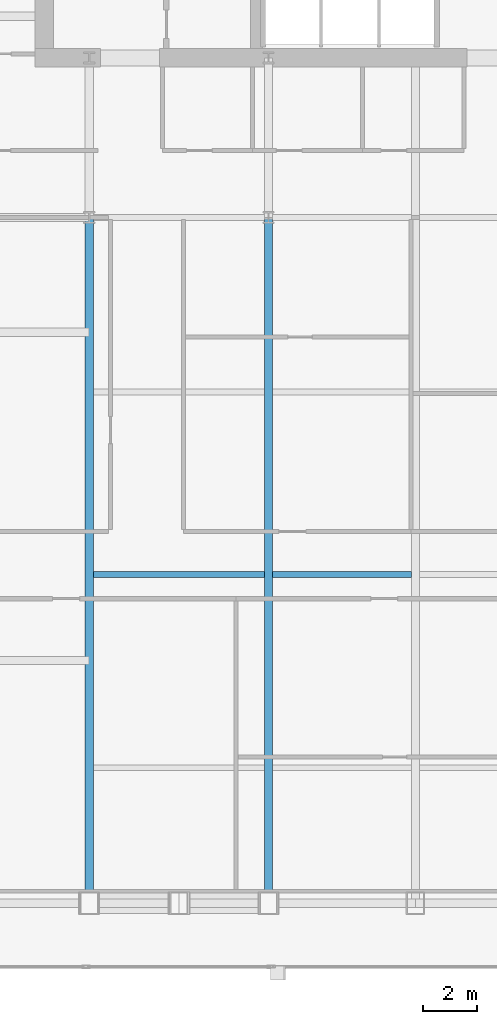
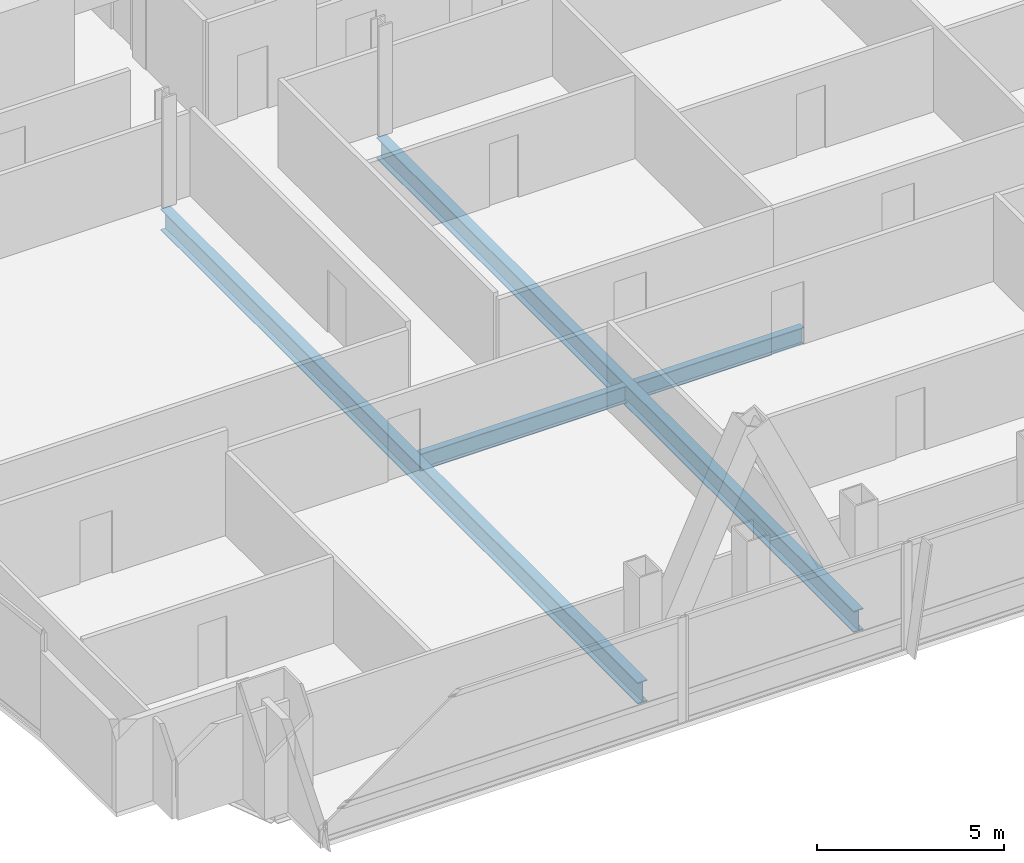
# One storey, part 9 of 31: 4 beams.
"""IFC4 building model written with IfcOpenShell, lengths in metres."""

from ifc_helpers import new_model, si_unit, direction, frame, origin, origin_2d, place, context, subcontext, project, spatial, i_section, extrude, material, material_profile, profile_set, type_object, element, save


model = new_model("IFC4")

# Units and contexts
model_context = context("Model", 3, precision=1e-05, world=origin(), true_north=direction((0.0, 1.0)))
body_context = subcontext(model_context, "Body", "Model", "MODEL_VIEW")
ifc_project = project(units=[si_unit("LENGTHUNIT", "METRE"), si_unit("AREAUNIT", "SQUARE_METRE"), si_unit("VOLUMEUNIT", "CUBIC_METRE"), si_unit("PLANEANGLEUNIT", "RADIAN"), si_unit("MASSUNIT", "GRAM", prefix="KILO")], contexts=[model_context])

# Site, building, storey
site_placement = place(None, origin())
site = spatial("IfcSite", under=ifc_project, at=site_placement, CompositionType="ELEMENT")
building_placement = place(site_placement, origin())
building = spatial("IfcBuilding", under=site, at=building_placement, Name="Khoronbel Lancet Exchange", CompositionType="ELEMENT")
storey_placement = place(building_placement, frame((0.0, 0.0, 129.0)))
storey = spatial("IfcBuildingStorey", under=building, at=storey_placement, Name="L31", CompositionType="ELEMENT", Elevation=129.0)

# Beams
ifc_material = material(Name="Steel S355", Category="steel")
ifc_material_profile_1 = material_profile(ifc_material, i_section(OverallWidth=0.300048828125, OverallDepth=0.699951171875, WebThickness=0.01708984375, FlangeThickness=0.031982421875, at=origin_2d()), Name="HEB 700")
ifc_profile_set_1 = profile_set([ifc_material_profile_1], Name="Steel S355")
beam_type_1 = type_object("IfcBeamType", Name="BM-BG3", PredefinedType="BEAM", material=ifc_profile_set_1)
for number, where, z_axis, x_axis, name in (
    (1, (18.22509765625, 10.14990234375, -0.510009765625), (0.0, 1.0, 0.0), (-1.0, 0.0, 0.0), "Level L31 south primary girder GS1"),
    (2, (24.89990234375, 10.14990234375, -0.510009765625), (0.0, 1.0, 0.0), (-1.0, 0.0, 0.0), "Level L31 south primary girder GS2"),
):
    element("IfcBeam", number, at=place(storey_placement, frame(where, z_axis=z_axis, x_axis=x_axis)), inside=storey, type_object=beam_type_1, Name=name, PredefinedType="BEAM", context=body_context, shape_type="SweptSolid", body=[
        extrude(i_section(OverallWidth=0.300048828125, OverallDepth=0.699951171875, WebThickness=0.01708984375, FlangeThickness=0.031982421875, at=origin_2d()), origin(), (0.0, 0.0, 1.0), 25.550048828125),
    ])
ifc_material_profile_2 = material_profile(ifc_material, i_section(OverallWidth=0.2099609375, OverallDepth=0.550048828125, WebThickness=0.010986328125, FlangeThickness=0.01708984375, at=origin_2d()), Name="IPE 550")
ifc_profile_set_2 = profile_set([ifc_material_profile_2], Name="Steel S355")
beam_type_2 = type_object("IfcBeamType", Name="BM-BJ2", PredefinedType="JOIST", material=ifc_profile_set_2)
beam_1_placement = place(storey_placement, frame((18.375, 22.39990234375, -0.43505859375), z_axis=(1.0, 0.0, 0.0), x_axis=(0.0, 1.0, 0.0)))
element("IfcBeam", 3, at=beam_1_placement, inside=storey, type_object=beam_type_2, Name="Level L31 secondary composite joist J06", PredefinedType="JOIST", context=body_context, shape_type="SweptSolid", body=[
    extrude(i_section(OverallWidth=0.2099609375, OverallDepth=0.550048828125, WebThickness=0.010986328125, FlangeThickness=0.01708984375, at=origin_2d()), origin(), (0.0, 0.0, 1.0), 6.375),
])
beam_2_placement = place(storey_placement, frame((25.050048828125, 22.39990234375, -0.43505859375), z_axis=(1.0, 0.0, 0.0), x_axis=(0.0, 1.0, 0.0)))
element("IfcBeam", 4, at=beam_2_placement, inside=storey, type_object=beam_type_2, Name="Level L31 secondary composite joist J07", PredefinedType="JOIST", context=body_context, shape_type="SweptSolid", body=[
    extrude(i_section(OverallWidth=0.2099609375, OverallDepth=0.550048828125, WebThickness=0.010986328125, FlangeThickness=0.01708984375, at=origin_2d()), origin(), (0.0, 0.0, 1.0), 5.175048828125),
])

save(model, "model.ifc")
